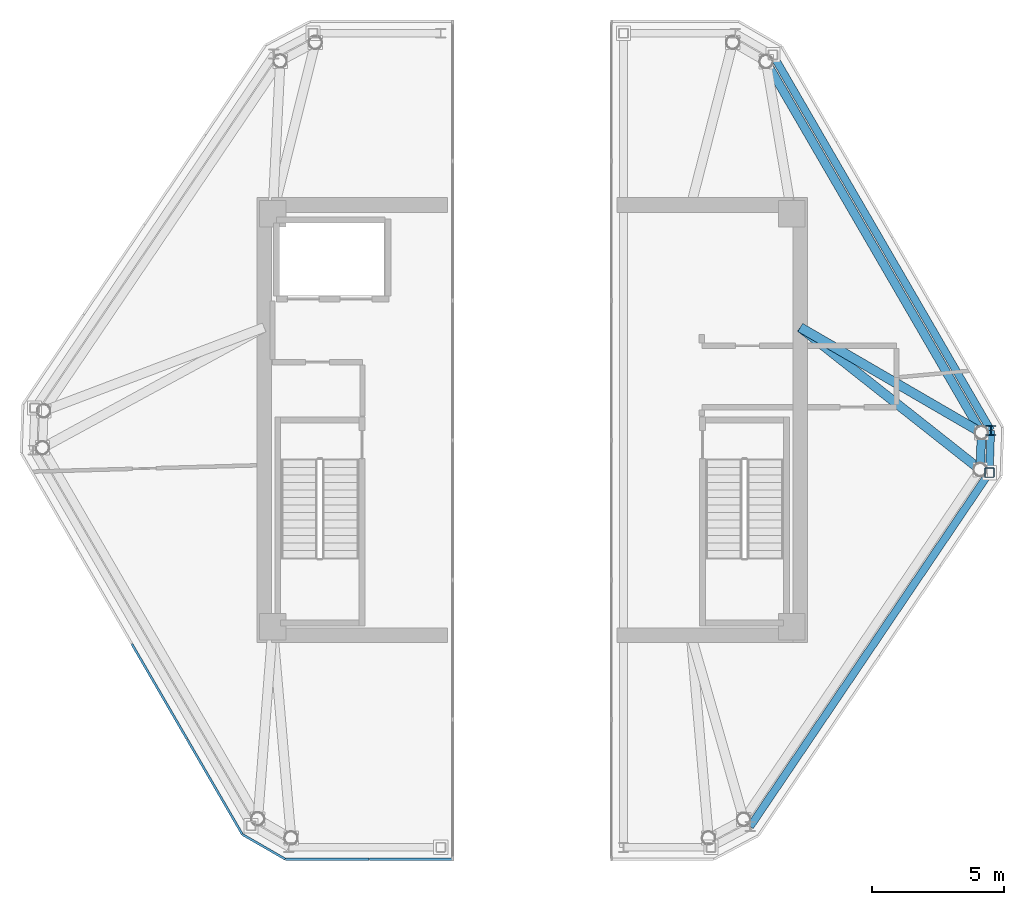
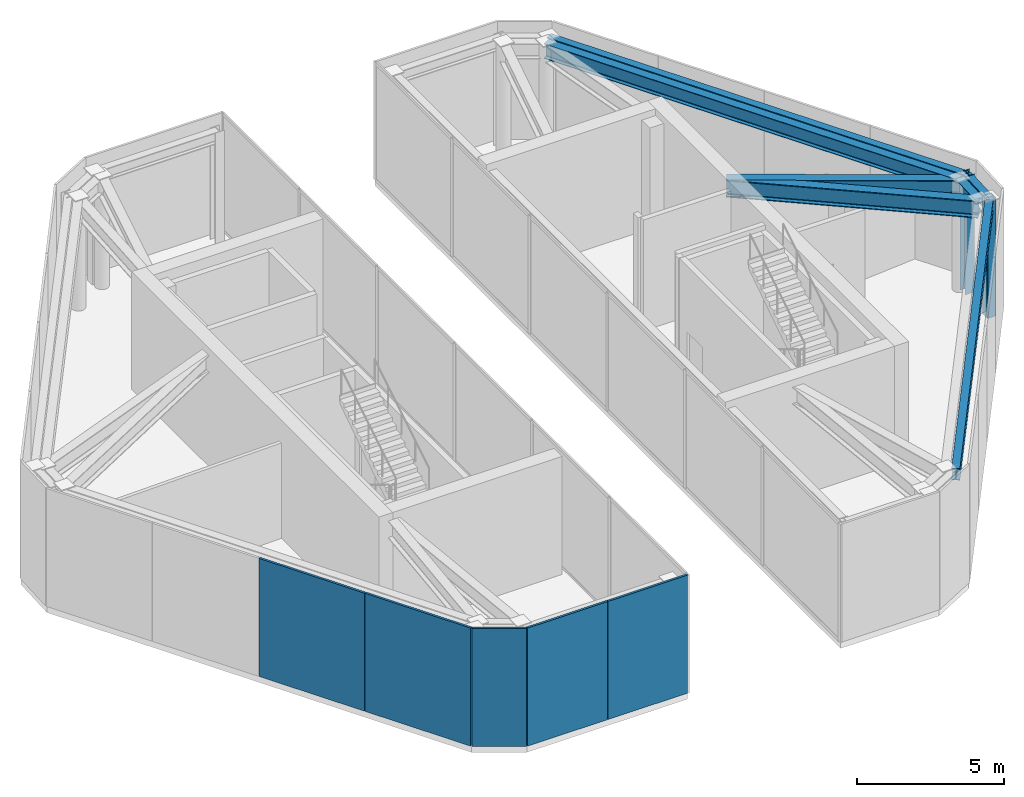
# One storey, part 5 of 8: 7 beams, 5 plates, 2 members.
"""IFC4 building model written with IfcOpenShell, lengths in metres."""

from ifc_helpers import new_model, si_unit, direction, frame, origin, origin_2d, place, context, subcontext, project, spatial, rectangle, hollow_rectangle, i_section, extrude, source, transform, mapped, material, layer, layer_set, material_profile, profile_set, type_object, type_shapes, element, save


model = new_model("IFC4")

# Units and contexts
model_context = context("Model", 3, precision=1e-05, world=origin(), true_north=direction((0.0, 1.0)))
body_context = subcontext(model_context, "Body", "Model", "MODEL_VIEW")
ifc_project = project(units=[si_unit("LENGTHUNIT", "METRE"), si_unit("AREAUNIT", "SQUARE_METRE"), si_unit("VOLUMEUNIT", "CUBIC_METRE"), si_unit("PLANEANGLEUNIT", "RADIAN"), si_unit("MASSUNIT", "GRAM", prefix="KILO")], contexts=[model_context])

# Site, building, storey
site_placement = place(None, origin())
site = spatial("IfcSite", under=ifc_project, at=site_placement, CompositionType="ELEMENT")
building_placement = place(site_placement, origin())
building = spatial("IfcBuilding", under=site, at=building_placement, Name="Durnholm Broadcast Tower", CompositionType="ELEMENT")
storey_placement = place(building_placement, frame((0.0, 0.0, 282.10009765625)))
storey = spatial("IfcBuildingStorey", under=building, at=storey_placement, Name="L78", CompositionType="ELEMENT", Elevation=282.10009765625)

# Beams
ifc_material_1 = material(Name="Steel ASTM A992 Grade 50", Category="steel")
ifc_material_profile_1 = material_profile(ifc_material_1, i_section(OverallWidth=0.3251953125, OverallDepth=0.6162109375, WebThickness=0.013916015625, FlangeThickness=0.021484375, FilletRadius=0.02783203125, at=origin_2d()), Name="W24X117")
ifc_profile_set_1 = profile_set([ifc_material_profile_1], Name="Steel ASTM A992 Grade 50")
beam_type_1 = type_object("IfcBeamType", Name="STL-SP-W24X117", PredefinedType="SPANDREL", material=ifc_profile_set_1)
shared_shape_1 = source(origin(), body_context, "Body", "SweptSolid", [
    extrude(i_section(OverallWidth=0.3251953125, OverallDepth=0.6162109375, WebThickness=0.013916015625, FlangeThickness=0.021484375, FilletRadius=0.02783203125, at=origin_2d()), origin(), (0.0, 0.0, 1.0), 1.39453125),
])
beam_1_placement = place(storey_placement, frame((16.97021484375, -0.47607421875, 4.296875), z_axis=(-0.034311541846, -0.999411185697, 0.0), x_axis=(0.999411185697, -0.034311541846, 0.0)))
element("IfcBeam", 1, at=beam_1_placement, inside=storey, type_object=beam_type_1, Name="L78 perimeter spandrel girder 08", PredefinedType="SPANDREL", context=body_context, shape_type="MappedRepresentation", body=[
    mapped(shared_shape_1, transform((0.0, 0.0, 0.0), x_axis=(1.0, 0.0, 0.0), y_axis=(0.0, 1.0, 0.0), z_axis=(0.0, 0.0, 1.0), scale=1.0)),
])
shared_shape_2 = source(origin(), body_context, "Body", "SweptSolid", [
    extrude(i_section(OverallWidth=0.3251953125, OverallDepth=0.6162109375, WebThickness=0.013916015625, FlangeThickness=0.021484375, FilletRadius=0.02783203125, at=origin_2d()), origin(), (0.0, 0.0, 1.0), 16.20263671875),
])
type_shapes(beam_type_1, [shared_shape_1, shared_shape_2])
beam_2_placement = place(storey_placement, frame((8.83740234375, 13.53759765625, 4.296875), z_axis=(0.501943573333, -0.864900369516, 0.0), x_axis=(0.864900369516, 0.501943573333, 0.0)))
element("IfcBeam", 2, at=beam_2_placement, inside=storey, type_object=beam_type_1, Name="L78 perimeter spandrel girder 07", PredefinedType="SPANDREL", context=body_context, shape_type="MappedRepresentation", body=[
    mapped(shared_shape_2, transform((0.0, 0.0, 0.0), x_axis=(1.0, 0.0, 0.0), y_axis=(0.0, 1.0, 0.0), z_axis=(0.0, 0.0, 1.0), scale=1.0)),
])
ifc_material_profile_2 = material_profile(ifc_material_1, i_section(OverallWidth=0.3564453125, OverallDepth=0.713623046875, WebThickness=0.01904296875, FlangeThickness=0.033935546875, FilletRadius=0.030517578125, at=origin_2d()), Name="W27X194")
ifc_profile_set_2 = profile_set([ifc_material_profile_2], Name="Steel ASTM A992 Grade 50")
beam_type_2 = type_object("IfcBeamType", Name="STL-GR-W27X194", PredefinedType="USERDEFINED", material=ifc_profile_set_2)
shared_shape_3 = source(origin(), body_context, "Body", "SweptSolid", [
    extrude(i_section(OverallWidth=0.3564453125, OverallDepth=0.713623046875, WebThickness=0.01904296875, FlangeThickness=0.033935546875, FilletRadius=0.030517578125, at=origin_2d()), origin(), (0.0, 0.0, 1.0), 7.916259765625),
])
beam_3_placement = place(storey_placement, frame((10.125, 3.5, 4.248046875), z_axis=(0.864710310336, -0.502270922111, 0.0), x_axis=(0.502270922111, 0.864710310336, 0.0)))
element("IfcBeam", 3, at=beam_3_placement, inside=storey, type_object=beam_type_2, Name="L78 radial primary floor girder 08", ObjectType="GIRDER", PredefinedType="USERDEFINED", context=body_context, shape_type="MappedRepresentation", body=[
    mapped(shared_shape_3, transform((0.0, 0.0, 0.0), x_axis=(1.0, 0.0, 0.0), y_axis=(0.0, 1.0, 0.0), z_axis=(0.0, 0.0, 1.0), scale=1.0)),
])
shared_shape_4 = source(origin(), body_context, "Body", "SweptSolid", [
    extrude(i_section(OverallWidth=0.3564453125, OverallDepth=0.713623046875, WebThickness=0.01904296875, FlangeThickness=0.033935546875, FilletRadius=0.030517578125, at=origin_2d()), origin(), (0.0, 0.0, 1.0), 8.66259765625),
])
type_shapes(beam_type_2, [shared_shape_3, shared_shape_4])
beam_4_placement = place(storey_placement, frame((10.125, 3.5, 4.248046875), z_axis=(0.784684334797, -0.619895551464, 0.0), x_axis=(0.619895551464, 0.784684334797, 0.0)))
element("IfcBeam", 4, at=beam_4_placement, inside=storey, type_object=beam_type_2, Name="L78 radial primary floor girder 09", ObjectType="GIRDER", PredefinedType="USERDEFINED", context=body_context, shape_type="MappedRepresentation", body=[
    mapped(shared_shape_4, transform((0.0, 0.0, 0.0), x_axis=(1.0, 0.0, 0.0), y_axis=(0.0, 1.0, 0.0), z_axis=(0.0, 0.0, 1.0), scale=1.0)),
])
ifc_material_profile_3 = material_profile(ifc_material_1, i_section(OverallWidth=0.2861328125, OverallDepth=0.481689453125, WebThickness=0.0166015625, FlangeThickness=0.02685546875, FilletRadius=0.02294921875, at=origin_2d()), Name="W18X119")
ifc_profile_set_3 = profile_set([ifc_material_profile_3], Name="Steel ASTM A992 Grade 50")
beam_type_3 = type_object("IfcBeamType", Name="STL-BM-W18X119", PredefinedType="BEAM", material=ifc_profile_set_3)
shared_shape_5 = source(origin(), body_context, "Body", "SweptSolid", [
    extrude(i_section(OverallWidth=0.2861328125, OverallDepth=0.481689453125, WebThickness=0.0166015625, FlangeThickness=0.02685546875, FilletRadius=0.02294921875, at=origin_2d()), origin(), (0.0, 0.0, 1.0), 1.595947265625),
])
beam_5_placement = place(storey_placement, frame((17.268798828125, -1.982421875, 4.364013671875), z_axis=(0.034267326711, 0.999412702701, 0.0), x_axis=(-0.999412702701, 0.034267326711, 0.0)))
element("IfcBeam", 5, at=beam_5_placement, inside=storey, type_object=beam_type_3, Name="L78 E split-crown frame ring beam 5", PredefinedType="SPANDREL", context=body_context, shape_type="MappedRepresentation", body=[
    mapped(shared_shape_5, transform((0.0, 0.0, 0.0), x_axis=(1.0, 0.0, 0.0), y_axis=(0.0, 1.0, 0.0), z_axis=(0.0, 0.0, 1.0), scale=1.0)),
])
shared_shape_6 = source(origin(), body_context, "Body", "SweptSolid", [
    extrude(i_section(OverallWidth=0.2861328125, OverallDepth=0.481689453125, WebThickness=0.0166015625, FlangeThickness=0.02685546875, FilletRadius=0.02294921875, at=origin_2d()), origin(), (0.0, 0.0, 1.0), 16.13525390625),
])
beam_6_placement = place(storey_placement, frame((8.23193359375, -15.349609375, 4.364013671875), z_axis=(0.560069369395, 0.828445714254, 0.0), x_axis=(-0.828445714254, 0.560069369395, 0.0)))
element("IfcBeam", 6, at=beam_6_placement, inside=storey, type_object=beam_type_3, Name="L78 E split-crown frame ring beam 4", PredefinedType="SPANDREL", context=body_context, shape_type="MappedRepresentation", body=[
    mapped(shared_shape_6, transform((0.0, 0.0, 0.0), x_axis=(1.0, 0.0, 0.0), y_axis=(0.0, 1.0, 0.0), z_axis=(0.0, 0.0, 1.0), scale=1.0)),
])
shared_shape_7 = source(origin(), body_context, "Body", "SweptSolid", [
    extrude(i_section(OverallWidth=0.2861328125, OverallDepth=0.481689453125, WebThickness=0.0166015625, FlangeThickness=0.02685546875, FilletRadius=0.02294921875, at=origin_2d()), origin(), (0.0, 0.0, 1.0), 16.396728515625),
])
type_shapes(beam_type_3, [shared_shape_5, shared_shape_6, shared_shape_7])
beam_7_placement = place(storey_placement, frame((17.323486328125, -0.387451171875, 4.364013671875), z_axis=(-0.501940457755, 0.86490217763, 0.0), x_axis=(-0.86490217763, -0.501940457755, 0.0)))
element("IfcBeam", 7, at=beam_7_placement, inside=storey, type_object=beam_type_3, Name="L78 E split-crown frame ring beam 6", PredefinedType="SPANDREL", context=body_context, shape_type="MappedRepresentation", body=[
    mapped(shared_shape_7, transform((0.0, 0.0, 0.0), x_axis=(1.0, 0.0, 0.0), y_axis=(0.0, 1.0, 0.0), z_axis=(0.0, 0.0, 1.0), scale=1.0)),
])

# Members
ifc_material_2 = material(Name="Steel ASTM A500 Grade C", Category="steel")
ifc_material_profile_4 = material_profile(ifc_material_2, hollow_rectangle(XDim=0.355712890625, YDim=0.355712890625, WallThickness=0.01171875, InnerFilletRadius=0.017578125, OuterFilletRadius=0.029541015625, at=origin_2d()), Name="HSS14X14X1/2")
ifc_profile_set_4 = profile_set([ifc_material_profile_4], Name="Steel ASTM A500 Grade C")
member_type_1 = type_object("IfcMemberType", Name="STL-CF-HSS14X14", PredefinedType="USERDEFINED", material=ifc_profile_set_4)
shared_shape_8 = source(origin(), body_context, "Body", "SweptSolid", [
    extrude(hollow_rectangle(XDim=0.355712890625, YDim=0.355712890625, WallThickness=0.01171875, InnerFilletRadius=0.017578125, OuterFilletRadius=0.029541015625, at=origin_2d()), origin(), (0.0, 0.0, 1.0), 4.89990234375),
])
type_shapes(member_type_1, [shared_shape_8])
member_1_placement = place(storey_placement, frame((17.268798828125, -1.982421875, -0.280029296875), z_axis=(0.0, 0.0, 1.0), x_axis=(1.0, 0.0, 0.0)))
element("IfcMember", 8, at=member_1_placement, inside=storey, type_object=member_type_1, Name="L78 E split-crown frame post 5", ObjectType="CROWN FRAME", PredefinedType="USERDEFINED", context=body_context, shape_type="MappedRepresentation", body=[
    mapped(shared_shape_8, transform((0.0, 0.0, 0.0), x_axis=(1.0, 0.0, 0.0), y_axis=(0.0, 1.0, 0.0), z_axis=(0.0, 0.0, 1.0), scale=1.0)),
])
ifc_material_profile_5 = material_profile(ifc_material_1, i_section(OverallWidth=0.368896484375, OverallDepth=0.356201171875, WebThickness=0.01123046875, FlangeThickness=0.01806640625, FilletRadius=0.030517578125, at=origin_2d()), Name="W14X90")
ifc_profile_set_5 = profile_set([ifc_material_profile_5], Name="Steel ASTM A992 Grade 50")
member_type_2 = type_object("IfcMemberType", Name="STL-CF-W14X90", PredefinedType="USERDEFINED", material=ifc_profile_set_5)
shared_shape_9 = source(origin(), body_context, "Body", "SweptSolid", [
    extrude(i_section(OverallWidth=0.368896484375, OverallDepth=0.356201171875, WebThickness=0.01123046875, FlangeThickness=0.01806640625, FilletRadius=0.030517578125, at=origin_2d()), origin(), (0.0, 0.0, 1.0), 4.89990234375),
])
type_shapes(member_type_2, [shared_shape_9])
member_2_placement = place(storey_placement, frame((17.323486328125, -0.387451171875, -0.280029296875), z_axis=(0.0, 0.0, 1.0), x_axis=(1.0, 0.0, 0.0)))
element("IfcMember", 9, at=member_2_placement, inside=storey, type_object=member_type_2, Name="L78 E split-crown frame post 6", ObjectType="CROWN FRAME", PredefinedType="USERDEFINED", context=body_context, shape_type="MappedRepresentation", body=[
    mapped(shared_shape_9, transform((0.0, 0.0, 0.0), x_axis=(1.0, 0.0, 0.0), y_axis=(0.0, 1.0, 0.0), z_axis=(0.0, 0.0, 1.0), scale=1.0)),
])

# Plates
ifc_material_3 = material(Name="Anodised Architectural Aluminium Louvre Screen", Category="aluminium")
ifc_layer = layer(ifc_material_3, 0.0849609375)
ifc_layer_set = layer_set([ifc_layer], Name="Anodised Architectural Aluminium Louvre Screen")
plate_type = type_object("IfcPlateType", Name="PLT-CROWN-SCR", PredefinedType="USERDEFINED", material=ifc_layer_set)
shared_shape_10 = source(origin(), body_context, "Body", "SweptSolid", [
    extrude(rectangle(XDim=3.138916015625, YDim=0.0849609375, at=origin_2d()), origin(), (0.0, 0.0, 1.0), 4.89990234375),
])
for number, where, z_axis, x_axis, name in (
    (10, (-4.579345703125, -16.5859375, 0.0), (0.0, 0.0, 1.0), (-1.0, 0.0, 0.0), "L78 mechanical louvre screen panel SCR-L78-W-6.1"),
    (11, (-7.73828125, -16.5859375, 0.0), (0.0, 0.0, 1.0), (-1.0, 0.0, 0.0), "L78 mechanical louvre screen panel SCR-L78-W-6.2"),
):
    element("IfcPlate", number, at=place(storey_placement, frame(where, z_axis=z_axis, x_axis=x_axis)), inside=storey, type_object=plate_type, Name=name, ObjectType="SCREEN", PredefinedType="USERDEFINED", context=body_context, shape_type="MappedRepresentation", body=[
        mapped(shared_shape_10, transform((0.0, 0.0, 0.0), x_axis=(1.0, 0.0, 0.0), y_axis=(0.0, 1.0, 0.0), z_axis=(0.0, 0.0, 1.0), scale=1.0)),
    ])
shared_shape_11 = source(origin(), body_context, "Body", "SweptSolid", [
    extrude(rectangle(XDim=1.859130859375, YDim=0.0849609375, at=origin_2d()), origin(), (0.0, 0.0, 1.0), 4.89990234375),
])
plate_placement = place(storey_placement, frame((-10.1318359375, -16.1171875, 0.0), z_axis=(0.0, 0.0, 1.0), x_axis=(-0.866548527613, 0.499092826328, 0.0)))
element("IfcPlate", 12, at=plate_placement, inside=storey, type_object=plate_type, Name="L78 mechanical louvre screen panel SCR-L78-W-7.1", ObjectType="SCREEN", PredefinedType="USERDEFINED", context=body_context, shape_type="MappedRepresentation", body=[
    mapped(shared_shape_11, transform((0.0, 0.0, 0.0), x_axis=(1.0, 0.0, 0.0), y_axis=(0.0, 1.0, 0.0), z_axis=(0.0, 0.0, 1.0), scale=1.0)),
])
shared_shape_12 = source(origin(), body_context, "Body", "SweptSolid", [
    extrude(rectangle(XDim=4.1416015625, YDim=0.0849609375, at=origin_2d()), origin(), (0.0, 0.0, 1.0), 4.89990234375),
])
type_shapes(plate_type, [shared_shape_10, shared_shape_11, shared_shape_12])
for number, where, z_axis, x_axis, name in (
    (13, (-11.990478515625, -13.848388671875, 0.0), (0.0, 0.0, 1.0), (-0.501963660617, 0.864888711581, 0.0), "L78 mechanical louvre screen panel SCR-L78-W-8.1"),
    (14, (-14.079345703125, -10.2490234375, 0.0), (0.0, 0.0, 1.0), (-0.501963660617, 0.864888711581, 0.0), "L78 mechanical louvre screen panel SCR-L78-W-8.2"),
):
    element("IfcPlate", number, at=place(storey_placement, frame(where, z_axis=z_axis, x_axis=x_axis)), inside=storey, type_object=plate_type, Name=name, ObjectType="SCREEN", PredefinedType="USERDEFINED", context=body_context, shape_type="MappedRepresentation", body=[
        mapped(shared_shape_12, transform((0.0, 0.0, 0.0), x_axis=(1.0, 0.0, 0.0), y_axis=(0.0, 1.0, 0.0), z_axis=(0.0, 0.0, 1.0), scale=1.0)),
    ])

save(model, "model.ifc")
